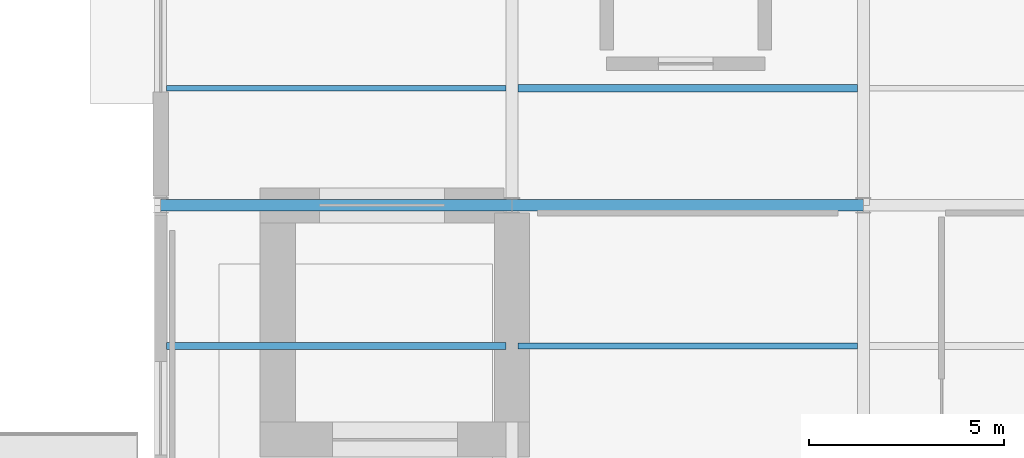
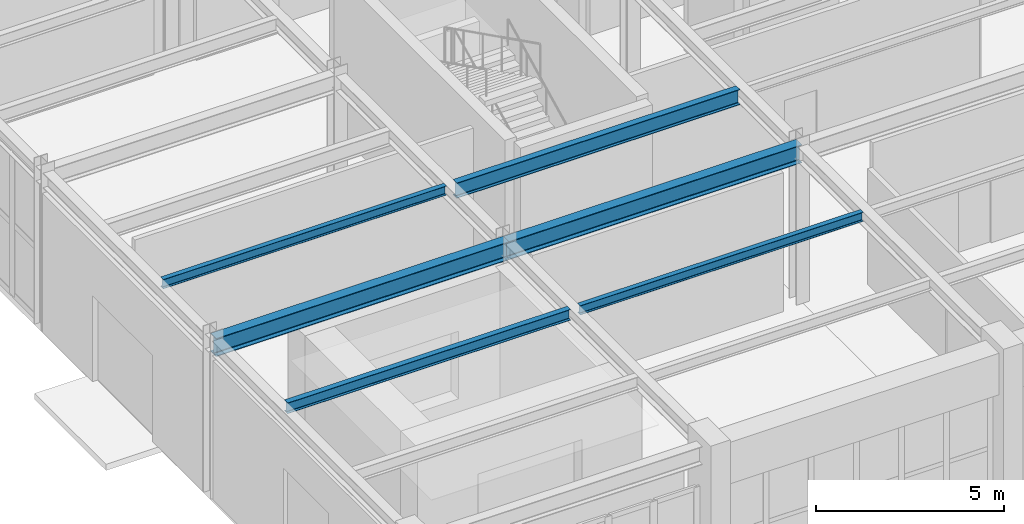
# One storey, part 25 of 140: 6 beams.
"""IFC4 building model written with IfcOpenShell, lengths in metres."""

from ifc_helpers import new_model, si_unit, direction, frame, origin, origin_2d, place, context, subcontext, project, spatial, i_section, extrude, material, material_profile, profile_set, type_object, element, save


model = new_model("IFC4")

# Units and contexts
model_context = context("Model", 3, precision=1e-05, world=origin(), true_north=direction((0.0, 1.0)))
body_context = subcontext(model_context, "Body", "Model", "MODEL_VIEW")
ifc_project = project(units=[si_unit("LENGTHUNIT", "METRE"), si_unit("AREAUNIT", "SQUARE_METRE"), si_unit("VOLUMEUNIT", "CUBIC_METRE"), si_unit("PLANEANGLEUNIT", "RADIAN"), si_unit("MASSUNIT", "GRAM", prefix="KILO")], contexts=[model_context])

# Site, building, storey
site_placement = place(None, origin())
site = spatial("IfcSite", under=ifc_project, at=site_placement, CompositionType="ELEMENT")
building_placement = place(site_placement, origin())
building = spatial("IfcBuilding", under=site, at=building_placement, Name="Haizhuo Lancet Aquarium", CompositionType="ELEMENT")
storey_placement = place(building_placement, origin())
storey = spatial("IfcBuildingStorey", under=building, at=storey_placement, Name="L00", CompositionType="ELEMENT", Elevation=0.0)

# Beams
ifc_material = material(Name="Steel S355", Category="steel")
ifc_material_profile_1 = material_profile(ifc_material, i_section(OverallWidth=0.300048828125, OverallDepth=0.587890625, WebThickness=0.011962890625, FlangeThickness=0.02001953125, FilletRadius=0.02587890625, at=origin_2d()), Name="HM 588x300x12x20")
ifc_profile_set_1 = profile_set([ifc_material_profile_1], Name="Steel S355")
beam_type_1 = type_object("IfcBeamType", Name="BM-ST-HM588", PredefinedType="BEAM", material=ifc_profile_set_1)
for number, where, z_axis, x_axis, name in (
    (1, (-18.0, -45.0, 4.825927734375), (1.0, 0.0, 0.0), (0.0, 1.0, 0.0), "L00 V4 primary girder BM-L00-V4-004"),
    (2, (-9.0, -45.0, 4.825927734375), (1.0, 0.0, 0.0), (0.0, 1.0, 0.0), "L00 V4 primary girder BM-L00-V4-010"),
):
    element("IfcBeam", number, at=place(storey_placement, frame(where, z_axis=z_axis, x_axis=x_axis)), inside=storey, type_object=beam_type_1, Name=name, PredefinedType="BEAM", context=body_context, shape_type="SweptSolid", body=[
        extrude(i_section(OverallWidth=0.300048828125, OverallDepth=0.587890625, WebThickness=0.011962890625, FlangeThickness=0.02001953125, FilletRadius=0.02587890625, at=origin_2d()), origin(), (0.0, 0.0, 1.0), 9.0),
    ])
ifc_material_profile_2 = material_profile(ifc_material, i_section(OverallWidth=0.14990234375, OverallDepth=0.300048828125, WebThickness=0.006591796875, FlangeThickness=0.009033203125, FilletRadius=0.012939453125, at=origin_2d()), Name="HN 300x150x6.5x9")
ifc_profile_set_2 = profile_set([ifc_material_profile_2], Name="Steel S355")
beam_type_2 = type_object("IfcBeamType", Name="JST-ST-HN300", PredefinedType="JOIST", material=ifc_profile_set_2)
for number, where, z_axis, x_axis, name in (
    (3, (-17.85009765625, -42.0, 4.969970703125), (1.0, 0.0, 0.0), (0.0, 1.0, 0.0), "L00 V4 secondary floor joist 3"),
    (4, (-8.85009765625, -48.60009765625, 4.969970703125), (1.0, 0.0, 0.0), (0.0, 1.0, 0.0), "L00 V4 secondary floor joist 8"),
):
    element("IfcBeam", number, at=place(storey_placement, frame(where, z_axis=z_axis, x_axis=x_axis)), inside=storey, type_object=beam_type_2, Name=name, PredefinedType="JOIST", context=body_context, shape_type="SweptSolid", body=[
        extrude(i_section(OverallWidth=0.14990234375, OverallDepth=0.300048828125, WebThickness=0.006591796875, FlangeThickness=0.009033203125, FilletRadius=0.012939453125, at=origin_2d()), origin(), (0.0, 0.0, 1.0), 8.7001953125),
    ])
ifc_material_profile_3 = material_profile(ifc_material, i_section(OverallWidth=0.175048828125, OverallDepth=0.35009765625, WebThickness=0.007080078125, FlangeThickness=0.010986328125, FilletRadius=0.013916015625, at=origin_2d()), Name="HN 350x175x7x11")
ifc_profile_set_3 = profile_set([ifc_material_profile_3], Name="Steel S355")
beam_type_3 = type_object("IfcBeamType", Name="JST-ST-HN350", PredefinedType="JOIST", material=ifc_profile_set_3)
beam_1_placement = place(storey_placement, frame((-17.85009765625, -48.60009765625, 4.945068359375), z_axis=(1.0, 0.0, 0.0), x_axis=(0.0, 1.0, 0.0)))
element("IfcBeam", 5, at=beam_1_placement, inside=storey, type_object=beam_type_3, Name="L00 V4 secondary floor joist 2", PredefinedType="JOIST", context=body_context, shape_type="SweptSolid", body=[
    extrude(i_section(OverallWidth=0.175048828125, OverallDepth=0.35009765625, WebThickness=0.007080078125, FlangeThickness=0.010986328125, FilletRadius=0.013916015625, at=origin_2d()), origin(), (0.0, 0.0, 1.0), 8.7001953125),
])
ifc_material_profile_4 = material_profile(ifc_material, i_section(OverallWidth=0.199951171875, OverallDepth=0.5, WebThickness=0.010009765625, FlangeThickness=0.01611328125, FilletRadius=0.02001953125, at=origin_2d()), Name="HN 500x200x10x16")
ifc_profile_set_4 = profile_set([ifc_material_profile_4], Name="Steel S355")
beam_type_4 = type_object("IfcBeamType", Name="JST-ST-HN500", PredefinedType="JOIST", material=ifc_profile_set_4)
beam_2_placement = place(storey_placement, frame((-8.85009765625, -42.0, 4.8701171875), z_axis=(1.0, 0.0, 0.0), x_axis=(0.0, 1.0, 0.0)))
element("IfcBeam", 6, at=beam_2_placement, inside=storey, type_object=beam_type_4, Name="L00 V4 secondary floor joist 9", PredefinedType="JOIST", context=body_context, shape_type="SweptSolid", body=[
    extrude(i_section(OverallWidth=0.199951171875, OverallDepth=0.5, WebThickness=0.010009765625, FlangeThickness=0.01611328125, FilletRadius=0.02001953125, at=origin_2d()), origin(), (0.0, 0.0, 1.0), 8.7001953125),
])

save(model, "model.ifc")
